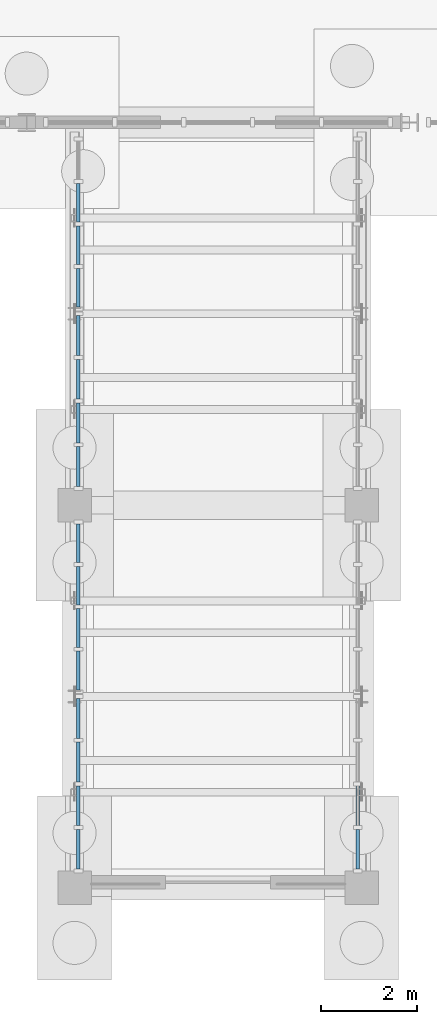
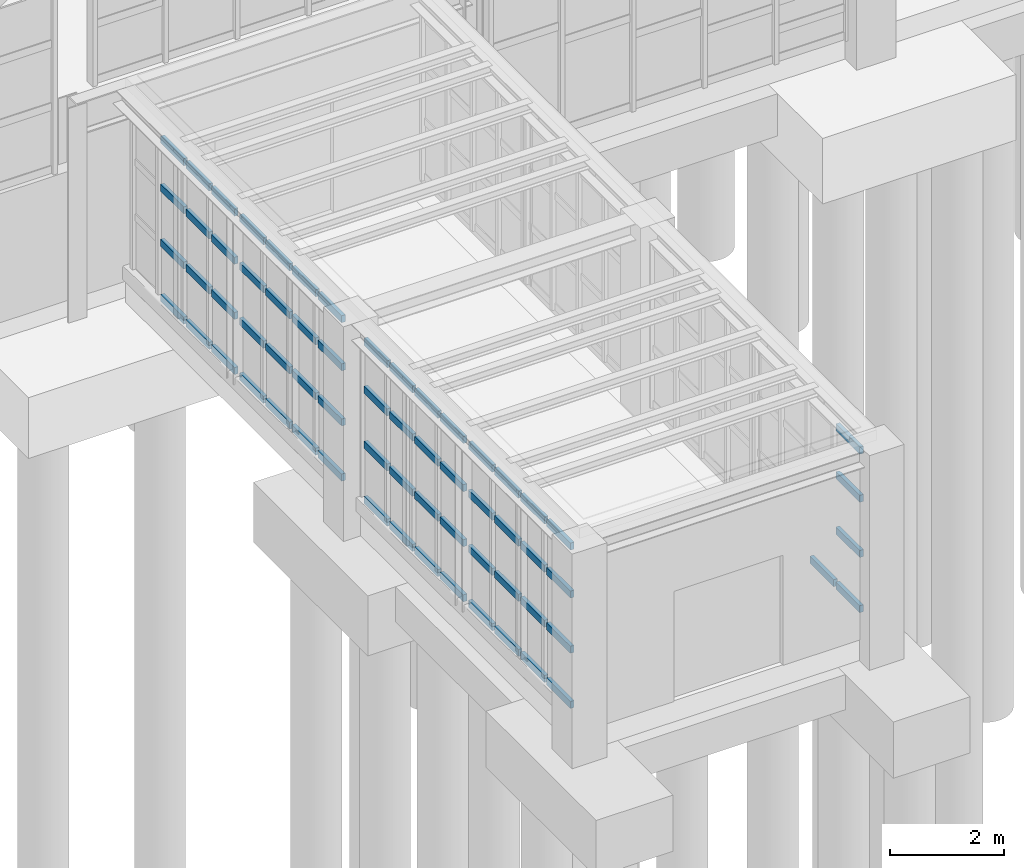
# One storey, part 71 of 129: 65 members, 5 elements without a shape of their own.
"""IFC4 building model written with IfcOpenShell, lengths in metres."""

from ifc_helpers import new_model, si_unit, direction, frame, origin, origin_2d, place, context, subcontext, project, spatial, rectangle, extrude, material, layer, layer_set, material_profile, profile_set, type_object, element, aggregate, save


model = new_model("IFC4")

# Units and contexts
model_context = context("Model", 3, precision=1e-05, world=origin(), true_north=direction((0.0, 1.0)))
body_context = subcontext(model_context, "Body", "Model", "MODEL_VIEW")
ifc_project = project(units=[si_unit("LENGTHUNIT", "METRE"), si_unit("AREAUNIT", "SQUARE_METRE"), si_unit("VOLUMEUNIT", "CUBIC_METRE"), si_unit("PLANEANGLEUNIT", "RADIAN"), si_unit("MASSUNIT", "GRAM", prefix="KILO")], contexts=[model_context])

# Site, building, storey
site_placement = place(None, origin())
site = spatial("IfcSite", under=ifc_project, at=site_placement, CompositionType="ELEMENT")
building_placement = place(site_placement, origin())
building = spatial("IfcBuilding", under=site, at=building_placement, Name="Sitalva Quay Ferry Terminal", CompositionType="ELEMENT")
storey_placement = place(building_placement, origin())
storey = spatial("IfcBuildingStorey", under=building, at=storey_placement, Name="L01", CompositionType="ELEMENT", Elevation=0.0)

# Curtain wall, members
ifc_material_1 = material(Name="Anodised Aluminium & Low-E Glazing", Category="aluminium")
ifc_layer = layer(ifc_material_1, 0.159912109375)
ifc_layer_set = layer_set([ifc_layer], Name="Anodised Aluminium & Low-E Glazing")
curtain_wall_type = type_object("IfcCurtainWallType", Name="CW_Bridge_Glazed", PredefinedType="USERDEFINED", material=ifc_layer_set)
curtain_wall_1_placement = place(storey_placement, origin())
curtain_wall_1 = element("IfcCurtainWall", 1, at=curtain_wall_1_placement, inside=storey, type_object=curtain_wall_type, Name="Boarding bridge BB1 W1 side glazing (CW-L01-033)", ObjectType="CURTAIN_WALL", PredefinedType="USERDEFINED")
ifc_material_2 = material(Name="Anodised Aluminium 6063-T6", Category="aluminium")
ifc_material_profile = material_profile(ifc_material_2, rectangle(XDim=0.074951171875, YDim=0.14990234375, at=origin_2d()), Name="ALU75x150")
ifc_profile_set = profile_set([ifc_material_profile], Name="Anodised Aluminium 6063-T6")
member_type = type_object("IfcMemberType", Name="Transom_Alu_75x140", PredefinedType="MULLION", material=ifc_profile_set)
member_1_placement = place(storey_placement, frame((17.080078125, -9.610107421875, 0.324951171875), z_axis=(0.0, 1.0, 0.0), x_axis=(-1.0, 0.0, 0.0)))
member_1 = element("IfcMember", 2, at=member_1_placement, type_object=member_type, Name="CW-L01-033-T0-0", ObjectType="TRANSOM", PredefinedType="USERDEFINED", context=body_context, shape_type="SweptSolid", body=[
    extrude(rectangle(XDim=0.074951171875, YDim=0.14990234375, at=origin_2d()), origin(), (0.0, 0.0, 1.0), 0.83251953125),
])
member_2_placement = place(storey_placement, frame((17.080078125, -9.610107421875, 1.501708984375), z_axis=(0.0, 1.0, 0.0), x_axis=(-1.0, 0.0, 0.0)))
member_2 = element("IfcMember", 3, at=member_2_placement, type_object=member_type, Name="CW-L01-033-T0-1", ObjectType="TRANSOM", PredefinedType="USERDEFINED", context=body_context, shape_type="SweptSolid", body=[
    extrude(rectangle(XDim=0.074951171875, YDim=0.14990234375, at=origin_2d()), origin(), (0.0, 0.0, 1.0), 0.83251953125),
])
member_3_placement = place(storey_placement, frame((17.080078125, -9.610107421875, 2.67822265625), z_axis=(0.0, 1.0, 0.0), x_axis=(-1.0, 0.0, 0.0)))
member_3 = element("IfcMember", 4, at=member_3_placement, type_object=member_type, Name="CW-L01-033-T0-2", ObjectType="TRANSOM", PredefinedType="USERDEFINED", context=body_context, shape_type="SweptSolid", body=[
    extrude(rectangle(XDim=0.074951171875, YDim=0.14990234375, at=origin_2d()), origin(), (0.0, 0.0, 1.0), 0.83251953125),
])
member_4_placement = place(storey_placement, frame((17.080078125, -9.610107421875, 3.705078125), z_axis=(0.0, 1.0, 0.0), x_axis=(-1.0, 0.0, 0.0)))
member_4 = element("IfcMember", 5, at=member_4_placement, type_object=member_type, Name="CW-L01-033-T0-3", ObjectType="TRANSOM", PredefinedType="USERDEFINED", context=body_context, shape_type="SweptSolid", body=[
    extrude(rectangle(XDim=0.074951171875, YDim=0.14990234375, at=origin_2d()), origin(), (0.0, 0.0, 1.0), 0.83251953125),
])
member_5_placement = place(storey_placement, frame((17.080078125, -8.697509765625, 0.324951171875), z_axis=(0.0, 1.0, 0.0), x_axis=(-1.0, 0.0, 0.0)))
member_5 = element("IfcMember", 6, at=member_5_placement, type_object=member_type, Name="CW-L01-033-T1-0", ObjectType="TRANSOM", PredefinedType="USERDEFINED", context=body_context, shape_type="SweptSolid", body=[
    extrude(rectangle(XDim=0.074951171875, YDim=0.14990234375, at=origin_2d()), origin(), (0.0, 0.0, 1.0), 0.83251953125),
])
member_6_placement = place(storey_placement, frame((17.080078125, -8.697509765625, 1.501708984375), z_axis=(0.0, 1.0, 0.0), x_axis=(-1.0, 0.0, 0.0)))
member_6 = element("IfcMember", 7, at=member_6_placement, type_object=member_type, Name="CW-L01-033-T1-1", ObjectType="TRANSOM", PredefinedType="USERDEFINED", context=body_context, shape_type="SweptSolid", body=[
    extrude(rectangle(XDim=0.074951171875, YDim=0.14990234375, at=origin_2d()), origin(), (0.0, 0.0, 1.0), 0.83251953125),
])
member_7_placement = place(storey_placement, frame((17.080078125, -8.697509765625, 2.67822265625), z_axis=(0.0, 1.0, 0.0), x_axis=(-1.0, 0.0, 0.0)))
member_7 = element("IfcMember", 8, at=member_7_placement, type_object=member_type, Name="CW-L01-033-T1-2", ObjectType="TRANSOM", PredefinedType="USERDEFINED", context=body_context, shape_type="SweptSolid", body=[
    extrude(rectangle(XDim=0.074951171875, YDim=0.14990234375, at=origin_2d()), origin(), (0.0, 0.0, 1.0), 0.83251953125),
])
member_8_placement = place(storey_placement, frame((17.080078125, -8.697509765625, 3.705078125), z_axis=(0.0, 1.0, 0.0), x_axis=(-1.0, 0.0, 0.0)))
member_8 = element("IfcMember", 9, at=member_8_placement, type_object=member_type, Name="CW-L01-033-T1-3", ObjectType="TRANSOM", PredefinedType="USERDEFINED", context=body_context, shape_type="SweptSolid", body=[
    extrude(rectangle(XDim=0.074951171875, YDim=0.14990234375, at=origin_2d()), origin(), (0.0, 0.0, 1.0), 0.83251953125),
])
member_9_placement = place(storey_placement, frame((17.080078125, -7.784912109375, 0.324951171875), z_axis=(0.0, 1.0, 0.0), x_axis=(-1.0, 0.0, 0.0)))
member_9 = element("IfcMember", 10, at=member_9_placement, type_object=member_type, Name="CW-L01-033-T2-0", ObjectType="TRANSOM", PredefinedType="USERDEFINED", context=body_context, shape_type="SweptSolid", body=[
    extrude(rectangle(XDim=0.074951171875, YDim=0.14990234375, at=origin_2d()), origin(), (0.0, 0.0, 1.0), 0.83251953125),
])
member_10_placement = place(storey_placement, frame((17.080078125, -7.784912109375, 1.501708984375), z_axis=(0.0, 1.0, 0.0), x_axis=(-1.0, 0.0, 0.0)))
member_10 = element("IfcMember", 11, at=member_10_placement, type_object=member_type, Name="CW-L01-033-T2-1", ObjectType="TRANSOM", PredefinedType="USERDEFINED", context=body_context, shape_type="SweptSolid", body=[
    extrude(rectangle(XDim=0.074951171875, YDim=0.14990234375, at=origin_2d()), origin(), (0.0, 0.0, 1.0), 0.83251953125),
])
member_11_placement = place(storey_placement, frame((17.080078125, -7.784912109375, 2.67822265625), z_axis=(0.0, 1.0, 0.0), x_axis=(-1.0, 0.0, 0.0)))
member_11 = element("IfcMember", 12, at=member_11_placement, type_object=member_type, Name="CW-L01-033-T2-2", ObjectType="TRANSOM", PredefinedType="USERDEFINED", context=body_context, shape_type="SweptSolid", body=[
    extrude(rectangle(XDim=0.074951171875, YDim=0.14990234375, at=origin_2d()), origin(), (0.0, 0.0, 1.0), 0.83251953125),
])
member_12_placement = place(storey_placement, frame((17.080078125, -7.784912109375, 3.705078125), z_axis=(0.0, 1.0, 0.0), x_axis=(-1.0, 0.0, 0.0)))
member_12 = element("IfcMember", 13, at=member_12_placement, type_object=member_type, Name="CW-L01-033-T2-3", ObjectType="TRANSOM", PredefinedType="USERDEFINED", context=body_context, shape_type="SweptSolid", body=[
    extrude(rectangle(XDim=0.074951171875, YDim=0.14990234375, at=origin_2d()), origin(), (0.0, 0.0, 1.0), 0.83251953125),
])
member_13_placement = place(storey_placement, frame((17.080078125, -6.87255859375, 0.324951171875), z_axis=(0.0, 1.0, 0.0), x_axis=(-1.0, 0.0, 0.0)))
member_13 = element("IfcMember", 14, at=member_13_placement, type_object=member_type, Name="CW-L01-033-T3-0", ObjectType="TRANSOM", PredefinedType="USERDEFINED", context=body_context, shape_type="SweptSolid", body=[
    extrude(rectangle(XDim=0.074951171875, YDim=0.14990234375, at=origin_2d()), origin(), (0.0, 0.0, 1.0), 0.83251953125),
])
member_14_placement = place(storey_placement, frame((17.080078125, -6.87255859375, 1.501708984375), z_axis=(0.0, 1.0, 0.0), x_axis=(-1.0, 0.0, 0.0)))
member_14 = element("IfcMember", 15, at=member_14_placement, type_object=member_type, Name="CW-L01-033-T3-1", ObjectType="TRANSOM", PredefinedType="USERDEFINED", context=body_context, shape_type="SweptSolid", body=[
    extrude(rectangle(XDim=0.074951171875, YDim=0.14990234375, at=origin_2d()), origin(), (0.0, 0.0, 1.0), 0.83251953125),
])
member_15_placement = place(storey_placement, frame((17.080078125, -6.87255859375, 2.67822265625), z_axis=(0.0, 1.0, 0.0), x_axis=(-1.0, 0.0, 0.0)))
member_15 = element("IfcMember", 16, at=member_15_placement, type_object=member_type, Name="CW-L01-033-T3-2", ObjectType="TRANSOM", PredefinedType="USERDEFINED", context=body_context, shape_type="SweptSolid", body=[
    extrude(rectangle(XDim=0.074951171875, YDim=0.14990234375, at=origin_2d()), origin(), (0.0, 0.0, 1.0), 0.83251953125),
])
member_16_placement = place(storey_placement, frame((17.080078125, -6.87255859375, 3.705078125), z_axis=(0.0, 1.0, 0.0), x_axis=(-1.0, 0.0, 0.0)))
member_16 = element("IfcMember", 17, at=member_16_placement, type_object=member_type, Name="CW-L01-033-T3-3", ObjectType="TRANSOM", PredefinedType="USERDEFINED", context=body_context, shape_type="SweptSolid", body=[
    extrude(rectangle(XDim=0.074951171875, YDim=0.14990234375, at=origin_2d()), origin(), (0.0, 0.0, 1.0), 0.83251953125),
])
aggregate(curtain_wall_1, [member_1, member_2, member_3, member_4, member_5, member_6, member_7, member_8, member_9, member_10, member_11, member_12, member_13, member_14, member_15, member_16])

curtain_wall_2_placement = place(storey_placement, origin())
curtain_wall_2 = element("IfcCurtainWall", 18, at=curtain_wall_2_placement, inside=storey, type_object=curtain_wall_type, Name="Boarding bridge BB1 W2 side glazing (CW-L01-034)", ObjectType="CURTAIN_WALL", PredefinedType="USERDEFINED")
member_17_placement = place(storey_placement, frame((17.080078125, -5.860107421875, 0.324951171875), z_axis=(0.0, 1.0, 0.0), x_axis=(-1.0, 0.0, 0.0)))
member_17 = element("IfcMember", 19, at=member_17_placement, type_object=member_type, Name="CW-L01-034-T0-0", ObjectType="TRANSOM", PredefinedType="USERDEFINED", context=body_context, shape_type="SweptSolid", body=[
    extrude(rectangle(XDim=0.074951171875, YDim=0.14990234375, at=origin_2d()), origin(), (0.0, 0.0, 1.0), 0.8076171875),
])
member_18_placement = place(storey_placement, frame((17.080078125, -5.860107421875, 1.501708984375), z_axis=(0.0, 1.0, 0.0), x_axis=(-1.0, 0.0, 0.0)))
member_18 = element("IfcMember", 20, at=member_18_placement, type_object=member_type, Name="CW-L01-034-T0-1", ObjectType="TRANSOM", PredefinedType="USERDEFINED", context=body_context, shape_type="SweptSolid", body=[
    extrude(rectangle(XDim=0.074951171875, YDim=0.14990234375, at=origin_2d()), origin(), (0.0, 0.0, 1.0), 0.8076171875),
])
member_19_placement = place(storey_placement, frame((17.080078125, -5.860107421875, 2.67822265625), z_axis=(0.0, 1.0, 0.0), x_axis=(-1.0, 0.0, 0.0)))
member_19 = element("IfcMember", 21, at=member_19_placement, type_object=member_type, Name="CW-L01-034-T0-2", ObjectType="TRANSOM", PredefinedType="USERDEFINED", context=body_context, shape_type="SweptSolid", body=[
    extrude(rectangle(XDim=0.074951171875, YDim=0.14990234375, at=origin_2d()), origin(), (0.0, 0.0, 1.0), 0.8076171875),
])
member_20_placement = place(storey_placement, frame((17.080078125, -5.860107421875, 3.705078125), z_axis=(0.0, 1.0, 0.0), x_axis=(-1.0, 0.0, 0.0)))
member_20 = element("IfcMember", 22, at=member_20_placement, type_object=member_type, Name="CW-L01-034-T0-3", ObjectType="TRANSOM", PredefinedType="USERDEFINED", context=body_context, shape_type="SweptSolid", body=[
    extrude(rectangle(XDim=0.074951171875, YDim=0.14990234375, at=origin_2d()), origin(), (0.0, 0.0, 1.0), 0.8076171875),
])
member_21_placement = place(storey_placement, frame((17.080078125, -4.972412109375, 0.324951171875), z_axis=(0.0, 1.0, 0.0), x_axis=(-1.0, 0.0, 0.0)))
member_21 = element("IfcMember", 23, at=member_21_placement, type_object=member_type, Name="CW-L01-034-T1-0", ObjectType="TRANSOM", PredefinedType="USERDEFINED", context=body_context, shape_type="SweptSolid", body=[
    extrude(rectangle(XDim=0.074951171875, YDim=0.14990234375, at=origin_2d()), origin(), (0.0, 0.0, 1.0), 0.807373046875),
])
member_22_placement = place(storey_placement, frame((17.080078125, -4.972412109375, 1.501708984375), z_axis=(0.0, 1.0, 0.0), x_axis=(-1.0, 0.0, 0.0)))
member_22 = element("IfcMember", 24, at=member_22_placement, type_object=member_type, Name="CW-L01-034-T1-1", ObjectType="TRANSOM", PredefinedType="USERDEFINED", context=body_context, shape_type="SweptSolid", body=[
    extrude(rectangle(XDim=0.074951171875, YDim=0.14990234375, at=origin_2d()), origin(), (0.0, 0.0, 1.0), 0.807373046875),
])
member_23_placement = place(storey_placement, frame((17.080078125, -4.972412109375, 2.67822265625), z_axis=(0.0, 1.0, 0.0), x_axis=(-1.0, 0.0, 0.0)))
member_23 = element("IfcMember", 25, at=member_23_placement, type_object=member_type, Name="CW-L01-034-T1-2", ObjectType="TRANSOM", PredefinedType="USERDEFINED", context=body_context, shape_type="SweptSolid", body=[
    extrude(rectangle(XDim=0.074951171875, YDim=0.14990234375, at=origin_2d()), origin(), (0.0, 0.0, 1.0), 0.807373046875),
])
member_24_placement = place(storey_placement, frame((17.080078125, -4.972412109375, 3.705078125), z_axis=(0.0, 1.0, 0.0), x_axis=(-1.0, 0.0, 0.0)))
member_24 = element("IfcMember", 26, at=member_24_placement, type_object=member_type, Name="CW-L01-034-T1-3", ObjectType="TRANSOM", PredefinedType="USERDEFINED", context=body_context, shape_type="SweptSolid", body=[
    extrude(rectangle(XDim=0.074951171875, YDim=0.14990234375, at=origin_2d()), origin(), (0.0, 0.0, 1.0), 0.807373046875),
])
member_25_placement = place(storey_placement, frame((17.080078125, -4.0849609375, 0.324951171875), z_axis=(0.0, 1.0, 0.0), x_axis=(-1.0, 0.0, 0.0)))
member_25 = element("IfcMember", 27, at=member_25_placement, type_object=member_type, Name="CW-L01-034-T2-0", ObjectType="TRANSOM", PredefinedType="USERDEFINED", context=body_context, shape_type="SweptSolid", body=[
    extrude(rectangle(XDim=0.074951171875, YDim=0.14990234375, at=origin_2d()), origin(), (0.0, 0.0, 1.0), 0.807373046875),
])
member_26_placement = place(storey_placement, frame((17.080078125, -4.0849609375, 1.501708984375), z_axis=(0.0, 1.0, 0.0), x_axis=(-1.0, 0.0, 0.0)))
member_26 = element("IfcMember", 28, at=member_26_placement, type_object=member_type, Name="CW-L01-034-T2-1", ObjectType="TRANSOM", PredefinedType="USERDEFINED", context=body_context, shape_type="SweptSolid", body=[
    extrude(rectangle(XDim=0.074951171875, YDim=0.14990234375, at=origin_2d()), origin(), (0.0, 0.0, 1.0), 0.807373046875),
])
member_27_placement = place(storey_placement, frame((17.080078125, -4.0849609375, 2.67822265625), z_axis=(0.0, 1.0, 0.0), x_axis=(-1.0, 0.0, 0.0)))
member_27 = element("IfcMember", 29, at=member_27_placement, type_object=member_type, Name="CW-L01-034-T2-2", ObjectType="TRANSOM", PredefinedType="USERDEFINED", context=body_context, shape_type="SweptSolid", body=[
    extrude(rectangle(XDim=0.074951171875, YDim=0.14990234375, at=origin_2d()), origin(), (0.0, 0.0, 1.0), 0.807373046875),
])
member_28_placement = place(storey_placement, frame((17.080078125, -4.0849609375, 3.705078125), z_axis=(0.0, 1.0, 0.0), x_axis=(-1.0, 0.0, 0.0)))
member_28 = element("IfcMember", 30, at=member_28_placement, type_object=member_type, Name="CW-L01-034-T2-3", ObjectType="TRANSOM", PredefinedType="USERDEFINED", context=body_context, shape_type="SweptSolid", body=[
    extrude(rectangle(XDim=0.074951171875, YDim=0.14990234375, at=origin_2d()), origin(), (0.0, 0.0, 1.0), 0.807373046875),
])
member_29_placement = place(storey_placement, frame((17.080078125, -3.197509765625, 0.324951171875), z_axis=(0.0, 1.0, 0.0), x_axis=(-1.0, 0.0, 0.0)))
member_29 = element("IfcMember", 31, at=member_29_placement, type_object=member_type, Name="CW-L01-034-T3-0", ObjectType="TRANSOM", PredefinedType="USERDEFINED", context=body_context, shape_type="SweptSolid", body=[
    extrude(rectangle(XDim=0.074951171875, YDim=0.14990234375, at=origin_2d()), origin(), (0.0, 0.0, 1.0), 0.8076171875),
])
member_30_placement = place(storey_placement, frame((17.080078125, -3.197509765625, 1.501708984375), z_axis=(0.0, 1.0, 0.0), x_axis=(-1.0, 0.0, 0.0)))
member_30 = element("IfcMember", 32, at=member_30_placement, type_object=member_type, Name="CW-L01-034-T3-1", ObjectType="TRANSOM", PredefinedType="USERDEFINED", context=body_context, shape_type="SweptSolid", body=[
    extrude(rectangle(XDim=0.074951171875, YDim=0.14990234375, at=origin_2d()), origin(), (0.0, 0.0, 1.0), 0.8076171875),
])
member_31_placement = place(storey_placement, frame((17.080078125, -3.197509765625, 2.67822265625), z_axis=(0.0, 1.0, 0.0), x_axis=(-1.0, 0.0, 0.0)))
member_31 = element("IfcMember", 33, at=member_31_placement, type_object=member_type, Name="CW-L01-034-T3-2", ObjectType="TRANSOM", PredefinedType="USERDEFINED", context=body_context, shape_type="SweptSolid", body=[
    extrude(rectangle(XDim=0.074951171875, YDim=0.14990234375, at=origin_2d()), origin(), (0.0, 0.0, 1.0), 0.8076171875),
])
member_32_placement = place(storey_placement, frame((17.080078125, -3.197509765625, 3.705078125), z_axis=(0.0, 1.0, 0.0), x_axis=(-1.0, 0.0, 0.0)))
member_32 = element("IfcMember", 34, at=member_32_placement, type_object=member_type, Name="CW-L01-034-T3-3", ObjectType="TRANSOM", PredefinedType="USERDEFINED", context=body_context, shape_type="SweptSolid", body=[
    extrude(rectangle(XDim=0.074951171875, YDim=0.14990234375, at=origin_2d()), origin(), (0.0, 0.0, 1.0), 0.8076171875),
])
aggregate(curtain_wall_2, [member_17, member_18, member_19, member_20, member_21, member_22, member_23, member_24, member_25, member_26, member_27, member_28, member_29, member_30, member_31, member_32])

curtain_wall_3_placement = place(storey_placement, origin())
curtain_wall_3 = element("IfcCurtainWall", 35, at=curtain_wall_3_placement, inside=storey, type_object=curtain_wall_type, Name="Boarding bridge BB1 W3 side glazing (CW-L01-035)", ObjectType="CURTAIN_WALL", PredefinedType="USERDEFINED")
member_33_placement = place(storey_placement, frame((17.080078125, -1.610107421875, 0.324951171875), z_axis=(0.0, 1.0, 0.0), x_axis=(-1.0, 0.0, 0.0)))
member_33 = element("IfcMember", 36, at=member_33_placement, type_object=member_type, Name="CW-L01-035-T0-0", ObjectType="TRANSOM", PredefinedType="USERDEFINED", context=body_context, shape_type="SweptSolid", body=[
    extrude(rectangle(XDim=0.074951171875, YDim=0.14990234375, at=origin_2d()), origin(), (0.0, 0.0, 1.0), 0.83251953125),
])
member_34_placement = place(storey_placement, frame((17.080078125, -1.610107421875, 1.501708984375), z_axis=(0.0, 1.0, 0.0), x_axis=(-1.0, 0.0, 0.0)))
member_34 = element("IfcMember", 37, at=member_34_placement, type_object=member_type, Name="CW-L01-035-T0-1", ObjectType="TRANSOM", PredefinedType="USERDEFINED", context=body_context, shape_type="SweptSolid", body=[
    extrude(rectangle(XDim=0.074951171875, YDim=0.14990234375, at=origin_2d()), origin(), (0.0, 0.0, 1.0), 0.83251953125),
])
member_35_placement = place(storey_placement, frame((17.080078125, -1.610107421875, 2.67822265625), z_axis=(0.0, 1.0, 0.0), x_axis=(-1.0, 0.0, 0.0)))
member_35 = element("IfcMember", 38, at=member_35_placement, type_object=member_type, Name="CW-L01-035-T0-2", ObjectType="TRANSOM", PredefinedType="USERDEFINED", context=body_context, shape_type="SweptSolid", body=[
    extrude(rectangle(XDim=0.074951171875, YDim=0.14990234375, at=origin_2d()), origin(), (0.0, 0.0, 1.0), 0.83251953125),
])
member_36_placement = place(storey_placement, frame((17.080078125, -1.610107421875, 3.705078125), z_axis=(0.0, 1.0, 0.0), x_axis=(-1.0, 0.0, 0.0)))
member_36 = element("IfcMember", 39, at=member_36_placement, type_object=member_type, Name="CW-L01-035-T0-3", ObjectType="TRANSOM", PredefinedType="USERDEFINED", context=body_context, shape_type="SweptSolid", body=[
    extrude(rectangle(XDim=0.074951171875, YDim=0.14990234375, at=origin_2d()), origin(), (0.0, 0.0, 1.0), 0.83251953125),
])
member_37_placement = place(storey_placement, frame((17.080078125, -0.697509765625, 0.324951171875), z_axis=(0.0, 1.0, 0.0), x_axis=(-1.0, 0.0, 0.0)))
member_37 = element("IfcMember", 40, at=member_37_placement, type_object=member_type, Name="CW-L01-035-T1-0", ObjectType="TRANSOM", PredefinedType="USERDEFINED", context=body_context, shape_type="SweptSolid", body=[
    extrude(rectangle(XDim=0.074951171875, YDim=0.14990234375, at=origin_2d()), origin(), (0.0, 0.0, 1.0), 0.83251953125),
])
member_38_placement = place(storey_placement, frame((17.080078125, -0.697509765625, 1.501708984375), z_axis=(0.0, 1.0, 0.0), x_axis=(-1.0, 0.0, 0.0)))
member_38 = element("IfcMember", 41, at=member_38_placement, type_object=member_type, Name="CW-L01-035-T1-1", ObjectType="TRANSOM", PredefinedType="USERDEFINED", context=body_context, shape_type="SweptSolid", body=[
    extrude(rectangle(XDim=0.074951171875, YDim=0.14990234375, at=origin_2d()), origin(), (0.0, 0.0, 1.0), 0.83251953125),
])
member_39_placement = place(storey_placement, frame((17.080078125, -0.697509765625, 2.67822265625), z_axis=(0.0, 1.0, 0.0), x_axis=(-1.0, 0.0, 0.0)))
member_39 = element("IfcMember", 42, at=member_39_placement, type_object=member_type, Name="CW-L01-035-T1-2", ObjectType="TRANSOM", PredefinedType="USERDEFINED", context=body_context, shape_type="SweptSolid", body=[
    extrude(rectangle(XDim=0.074951171875, YDim=0.14990234375, at=origin_2d()), origin(), (0.0, 0.0, 1.0), 0.83251953125),
])
member_40_placement = place(storey_placement, frame((17.080078125, -0.697509765625, 3.705078125), z_axis=(0.0, 1.0, 0.0), x_axis=(-1.0, 0.0, 0.0)))
member_40 = element("IfcMember", 43, at=member_40_placement, type_object=member_type, Name="CW-L01-035-T1-3", ObjectType="TRANSOM", PredefinedType="USERDEFINED", context=body_context, shape_type="SweptSolid", body=[
    extrude(rectangle(XDim=0.074951171875, YDim=0.14990234375, at=origin_2d()), origin(), (0.0, 0.0, 1.0), 0.83251953125),
])
member_41_placement = place(storey_placement, frame((17.080078125, 0.215087890625, 0.324951171875), z_axis=(0.0, 1.0, 0.0), x_axis=(-1.0, 0.0, 0.0)))
member_41 = element("IfcMember", 44, at=member_41_placement, type_object=member_type, Name="CW-L01-035-T2-0", ObjectType="TRANSOM", PredefinedType="USERDEFINED", context=body_context, shape_type="SweptSolid", body=[
    extrude(rectangle(XDim=0.074951171875, YDim=0.14990234375, at=origin_2d()), origin(), (0.0, 0.0, 1.0), 0.83251953125),
])
member_42_placement = place(storey_placement, frame((17.080078125, 0.215087890625, 1.501708984375), z_axis=(0.0, 1.0, 0.0), x_axis=(-1.0, 0.0, 0.0)))
member_42 = element("IfcMember", 45, at=member_42_placement, type_object=member_type, Name="CW-L01-035-T2-1", ObjectType="TRANSOM", PredefinedType="USERDEFINED", context=body_context, shape_type="SweptSolid", body=[
    extrude(rectangle(XDim=0.074951171875, YDim=0.14990234375, at=origin_2d()), origin(), (0.0, 0.0, 1.0), 0.83251953125),
])
member_43_placement = place(storey_placement, frame((17.080078125, 0.215087890625, 2.67822265625), z_axis=(0.0, 1.0, 0.0), x_axis=(-1.0, 0.0, 0.0)))
member_43 = element("IfcMember", 46, at=member_43_placement, type_object=member_type, Name="CW-L01-035-T2-2", ObjectType="TRANSOM", PredefinedType="USERDEFINED", context=body_context, shape_type="SweptSolid", body=[
    extrude(rectangle(XDim=0.074951171875, YDim=0.14990234375, at=origin_2d()), origin(), (0.0, 0.0, 1.0), 0.83251953125),
])
member_44_placement = place(storey_placement, frame((17.080078125, 0.215087890625, 3.705078125), z_axis=(0.0, 1.0, 0.0), x_axis=(-1.0, 0.0, 0.0)))
member_44 = element("IfcMember", 47, at=member_44_placement, type_object=member_type, Name="CW-L01-035-T2-3", ObjectType="TRANSOM", PredefinedType="USERDEFINED", context=body_context, shape_type="SweptSolid", body=[
    extrude(rectangle(XDim=0.074951171875, YDim=0.14990234375, at=origin_2d()), origin(), (0.0, 0.0, 1.0), 0.83251953125),
])
member_45_placement = place(storey_placement, frame((17.080078125, 1.12744140625, 0.324951171875), z_axis=(0.0, 1.0, 0.0), x_axis=(-1.0, 0.0, 0.0)))
member_45 = element("IfcMember", 48, at=member_45_placement, type_object=member_type, Name="CW-L01-035-T3-0", ObjectType="TRANSOM", PredefinedType="USERDEFINED", context=body_context, shape_type="SweptSolid", body=[
    extrude(rectangle(XDim=0.074951171875, YDim=0.14990234375, at=origin_2d()), origin(), (0.0, 0.0, 1.0), 0.83251953125),
])
member_46_placement = place(storey_placement, frame((17.080078125, 1.12744140625, 1.501708984375), z_axis=(0.0, 1.0, 0.0), x_axis=(-1.0, 0.0, 0.0)))
member_46 = element("IfcMember", 49, at=member_46_placement, type_object=member_type, Name="CW-L01-035-T3-1", ObjectType="TRANSOM", PredefinedType="USERDEFINED", context=body_context, shape_type="SweptSolid", body=[
    extrude(rectangle(XDim=0.074951171875, YDim=0.14990234375, at=origin_2d()), origin(), (0.0, 0.0, 1.0), 0.83251953125),
])
member_47_placement = place(storey_placement, frame((17.080078125, 1.12744140625, 2.67822265625), z_axis=(0.0, 1.0, 0.0), x_axis=(-1.0, 0.0, 0.0)))
member_47 = element("IfcMember", 50, at=member_47_placement, type_object=member_type, Name="CW-L01-035-T3-2", ObjectType="TRANSOM", PredefinedType="USERDEFINED", context=body_context, shape_type="SweptSolid", body=[
    extrude(rectangle(XDim=0.074951171875, YDim=0.14990234375, at=origin_2d()), origin(), (0.0, 0.0, 1.0), 0.83251953125),
])
member_48_placement = place(storey_placement, frame((17.080078125, 1.12744140625, 3.705078125), z_axis=(0.0, 1.0, 0.0), x_axis=(-1.0, 0.0, 0.0)))
member_48 = element("IfcMember", 51, at=member_48_placement, type_object=member_type, Name="CW-L01-035-T3-3", ObjectType="TRANSOM", PredefinedType="USERDEFINED", context=body_context, shape_type="SweptSolid", body=[
    extrude(rectangle(XDim=0.074951171875, YDim=0.14990234375, at=origin_2d()), origin(), (0.0, 0.0, 1.0), 0.83251953125),
])
aggregate(curtain_wall_3, [member_33, member_34, member_35, member_36, member_37, member_38, member_39, member_40, member_41, member_42, member_43, member_44, member_45, member_46, member_47, member_48])

curtain_wall_4_placement = place(storey_placement, origin())
curtain_wall_4 = element("IfcCurtainWall", 52, at=curtain_wall_4_placement, inside=storey, type_object=curtain_wall_type, Name="Boarding bridge BB1 W4 side glazing (CW-L01-036)", ObjectType="CURTAIN_WALL", PredefinedType="USERDEFINED")
member_49_placement = place(storey_placement, frame((17.080078125, 2.139892578125, 0.324951171875), z_axis=(0.0, 1.0, 0.0), x_axis=(-1.0, 0.0, 0.0)))
member_49 = element("IfcMember", 53, at=member_49_placement, type_object=member_type, Name="CW-L01-036-T0-0", ObjectType="TRANSOM", PredefinedType="USERDEFINED", context=body_context, shape_type="SweptSolid", body=[
    extrude(rectangle(XDim=0.074951171875, YDim=0.14990234375, at=origin_2d()), origin(), (0.0, 0.0, 1.0), 0.8076171875),
])
member_50_placement = place(storey_placement, frame((17.080078125, 2.139892578125, 1.501708984375), z_axis=(0.0, 1.0, 0.0), x_axis=(-1.0, 0.0, 0.0)))
member_50 = element("IfcMember", 54, at=member_50_placement, type_object=member_type, Name="CW-L01-036-T0-1", ObjectType="TRANSOM", PredefinedType="USERDEFINED", context=body_context, shape_type="SweptSolid", body=[
    extrude(rectangle(XDim=0.074951171875, YDim=0.14990234375, at=origin_2d()), origin(), (0.0, 0.0, 1.0), 0.8076171875),
])
member_51_placement = place(storey_placement, frame((17.080078125, 2.139892578125, 2.67822265625), z_axis=(0.0, 1.0, 0.0), x_axis=(-1.0, 0.0, 0.0)))
member_51 = element("IfcMember", 55, at=member_51_placement, type_object=member_type, Name="CW-L01-036-T0-2", ObjectType="TRANSOM", PredefinedType="USERDEFINED", context=body_context, shape_type="SweptSolid", body=[
    extrude(rectangle(XDim=0.074951171875, YDim=0.14990234375, at=origin_2d()), origin(), (0.0, 0.0, 1.0), 0.8076171875),
])
member_52_placement = place(storey_placement, frame((17.080078125, 2.139892578125, 3.705078125), z_axis=(0.0, 1.0, 0.0), x_axis=(-1.0, 0.0, 0.0)))
member_52 = element("IfcMember", 56, at=member_52_placement, type_object=member_type, Name="CW-L01-036-T0-3", ObjectType="TRANSOM", PredefinedType="USERDEFINED", context=body_context, shape_type="SweptSolid", body=[
    extrude(rectangle(XDim=0.074951171875, YDim=0.14990234375, at=origin_2d()), origin(), (0.0, 0.0, 1.0), 0.8076171875),
])
member_53_placement = place(storey_placement, frame((17.080078125, 3.027587890625, 0.324951171875), z_axis=(0.0, 1.0, 0.0), x_axis=(-1.0, 0.0, 0.0)))
member_53 = element("IfcMember", 57, at=member_53_placement, type_object=member_type, Name="CW-L01-036-T1-0", ObjectType="TRANSOM", PredefinedType="USERDEFINED", context=body_context, shape_type="SweptSolid", body=[
    extrude(rectangle(XDim=0.074951171875, YDim=0.14990234375, at=origin_2d()), origin(), (0.0, 0.0, 1.0), 0.807373046875),
])
member_54_placement = place(storey_placement, frame((17.080078125, 3.027587890625, 1.501708984375), z_axis=(0.0, 1.0, 0.0), x_axis=(-1.0, 0.0, 0.0)))
member_54 = element("IfcMember", 58, at=member_54_placement, type_object=member_type, Name="CW-L01-036-T1-1", ObjectType="TRANSOM", PredefinedType="USERDEFINED", context=body_context, shape_type="SweptSolid", body=[
    extrude(rectangle(XDim=0.074951171875, YDim=0.14990234375, at=origin_2d()), origin(), (0.0, 0.0, 1.0), 0.807373046875),
])
member_55_placement = place(storey_placement, frame((17.080078125, 3.027587890625, 2.67822265625), z_axis=(0.0, 1.0, 0.0), x_axis=(-1.0, 0.0, 0.0)))
member_55 = element("IfcMember", 59, at=member_55_placement, type_object=member_type, Name="CW-L01-036-T1-2", ObjectType="TRANSOM", PredefinedType="USERDEFINED", context=body_context, shape_type="SweptSolid", body=[
    extrude(rectangle(XDim=0.074951171875, YDim=0.14990234375, at=origin_2d()), origin(), (0.0, 0.0, 1.0), 0.807373046875),
])
member_56_placement = place(storey_placement, frame((17.080078125, 3.027587890625, 3.705078125), z_axis=(0.0, 1.0, 0.0), x_axis=(-1.0, 0.0, 0.0)))
member_56 = element("IfcMember", 60, at=member_56_placement, type_object=member_type, Name="CW-L01-036-T1-3", ObjectType="TRANSOM", PredefinedType="USERDEFINED", context=body_context, shape_type="SweptSolid", body=[
    extrude(rectangle(XDim=0.074951171875, YDim=0.14990234375, at=origin_2d()), origin(), (0.0, 0.0, 1.0), 0.807373046875),
])
member_57_placement = place(storey_placement, frame((17.080078125, 3.9150390625, 0.324951171875), z_axis=(0.0, 1.0, 0.0), x_axis=(-1.0, 0.0, 0.0)))
member_57 = element("IfcMember", 61, at=member_57_placement, type_object=member_type, Name="CW-L01-036-T2-0", ObjectType="TRANSOM", PredefinedType="USERDEFINED", context=body_context, shape_type="SweptSolid", body=[
    extrude(rectangle(XDim=0.074951171875, YDim=0.14990234375, at=origin_2d()), origin(), (0.0, 0.0, 1.0), 0.807373046875),
])
member_58_placement = place(storey_placement, frame((17.080078125, 3.9150390625, 1.501708984375), z_axis=(0.0, 1.0, 0.0), x_axis=(-1.0, 0.0, 0.0)))
member_58 = element("IfcMember", 62, at=member_58_placement, type_object=member_type, Name="CW-L01-036-T2-1", ObjectType="TRANSOM", PredefinedType="USERDEFINED", context=body_context, shape_type="SweptSolid", body=[
    extrude(rectangle(XDim=0.074951171875, YDim=0.14990234375, at=origin_2d()), origin(), (0.0, 0.0, 1.0), 0.807373046875),
])
member_59_placement = place(storey_placement, frame((17.080078125, 3.9150390625, 2.67822265625), z_axis=(0.0, 1.0, 0.0), x_axis=(-1.0, 0.0, 0.0)))
member_59 = element("IfcMember", 63, at=member_59_placement, type_object=member_type, Name="CW-L01-036-T2-2", ObjectType="TRANSOM", PredefinedType="USERDEFINED", context=body_context, shape_type="SweptSolid", body=[
    extrude(rectangle(XDim=0.074951171875, YDim=0.14990234375, at=origin_2d()), origin(), (0.0, 0.0, 1.0), 0.807373046875),
])
member_60_placement = place(storey_placement, frame((17.080078125, 3.9150390625, 3.705078125), z_axis=(0.0, 1.0, 0.0), x_axis=(-1.0, 0.0, 0.0)))
member_60 = element("IfcMember", 64, at=member_60_placement, type_object=member_type, Name="CW-L01-036-T2-3", ObjectType="TRANSOM", PredefinedType="USERDEFINED", context=body_context, shape_type="SweptSolid", body=[
    extrude(rectangle(XDim=0.074951171875, YDim=0.14990234375, at=origin_2d()), origin(), (0.0, 0.0, 1.0), 0.807373046875),
])
aggregate(curtain_wall_4, [member_49, member_50, member_51, member_52, member_53, member_54, member_55, member_56, member_57, member_58, member_59, member_60])

curtain_wall_5_placement = place(storey_placement, origin())
curtain_wall_5 = element("IfcCurtainWall", 65, at=curtain_wall_5_placement, inside=storey, type_object=curtain_wall_type, Name="Boarding bridge BB1 E1 side glazing (CW-L01-037)", ObjectType="CURTAIN_WALL", PredefinedType="USERDEFINED")
member_61_placement = place(storey_placement, frame((22.919921875, -9.610107421875, 0.324951171875), z_axis=(0.0, 1.0, 0.0), x_axis=(-1.0, 0.0, 0.0)))
member_61 = element("IfcMember", 66, at=member_61_placement, type_object=member_type, Name="CW-L01-037-T0-0", ObjectType="TRANSOM", PredefinedType="USERDEFINED", context=body_context, shape_type="SweptSolid", body=[
    extrude(rectangle(XDim=0.074951171875, YDim=0.14990234375, at=origin_2d()), origin(), (0.0, 0.0, 1.0), 0.83251953125),
])
member_62_placement = place(storey_placement, frame((22.919921875, -9.610107421875, 1.501708984375), z_axis=(0.0, 1.0, 0.0), x_axis=(-1.0, 0.0, 0.0)))
member_62 = element("IfcMember", 67, at=member_62_placement, type_object=member_type, Name="CW-L01-037-T0-1", ObjectType="TRANSOM", PredefinedType="USERDEFINED", context=body_context, shape_type="SweptSolid", body=[
    extrude(rectangle(XDim=0.074951171875, YDim=0.14990234375, at=origin_2d()), origin(), (0.0, 0.0, 1.0), 0.83251953125),
])
member_63_placement = place(storey_placement, frame((22.919921875, -9.610107421875, 2.67822265625), z_axis=(0.0, 1.0, 0.0), x_axis=(-1.0, 0.0, 0.0)))
member_63 = element("IfcMember", 68, at=member_63_placement, type_object=member_type, Name="CW-L01-037-T0-2", ObjectType="TRANSOM", PredefinedType="USERDEFINED", context=body_context, shape_type="SweptSolid", body=[
    extrude(rectangle(XDim=0.074951171875, YDim=0.14990234375, at=origin_2d()), origin(), (0.0, 0.0, 1.0), 0.83251953125),
])
member_64_placement = place(storey_placement, frame((22.919921875, -9.610107421875, 3.705078125), z_axis=(0.0, 1.0, 0.0), x_axis=(-1.0, 0.0, 0.0)))
member_64 = element("IfcMember", 69, at=member_64_placement, type_object=member_type, Name="CW-L01-037-T0-3", ObjectType="TRANSOM", PredefinedType="USERDEFINED", context=body_context, shape_type="SweptSolid", body=[
    extrude(rectangle(XDim=0.074951171875, YDim=0.14990234375, at=origin_2d()), origin(), (0.0, 0.0, 1.0), 0.83251953125),
])
member_65_placement = place(storey_placement, frame((22.919921875, -8.697509765625, 0.324951171875), z_axis=(0.0, 1.0, 0.0), x_axis=(-1.0, 0.0, 0.0)))
member_65 = element("IfcMember", 70, at=member_65_placement, type_object=member_type, Name="CW-L01-037-T1-0", ObjectType="TRANSOM", PredefinedType="USERDEFINED", context=body_context, shape_type="SweptSolid", body=[
    extrude(rectangle(XDim=0.074951171875, YDim=0.14990234375, at=origin_2d()), origin(), (0.0, 0.0, 1.0), 0.83251953125),
])
aggregate(curtain_wall_5, [member_61, member_62, member_63, member_64, member_65])

save(model, "model.ifc")
